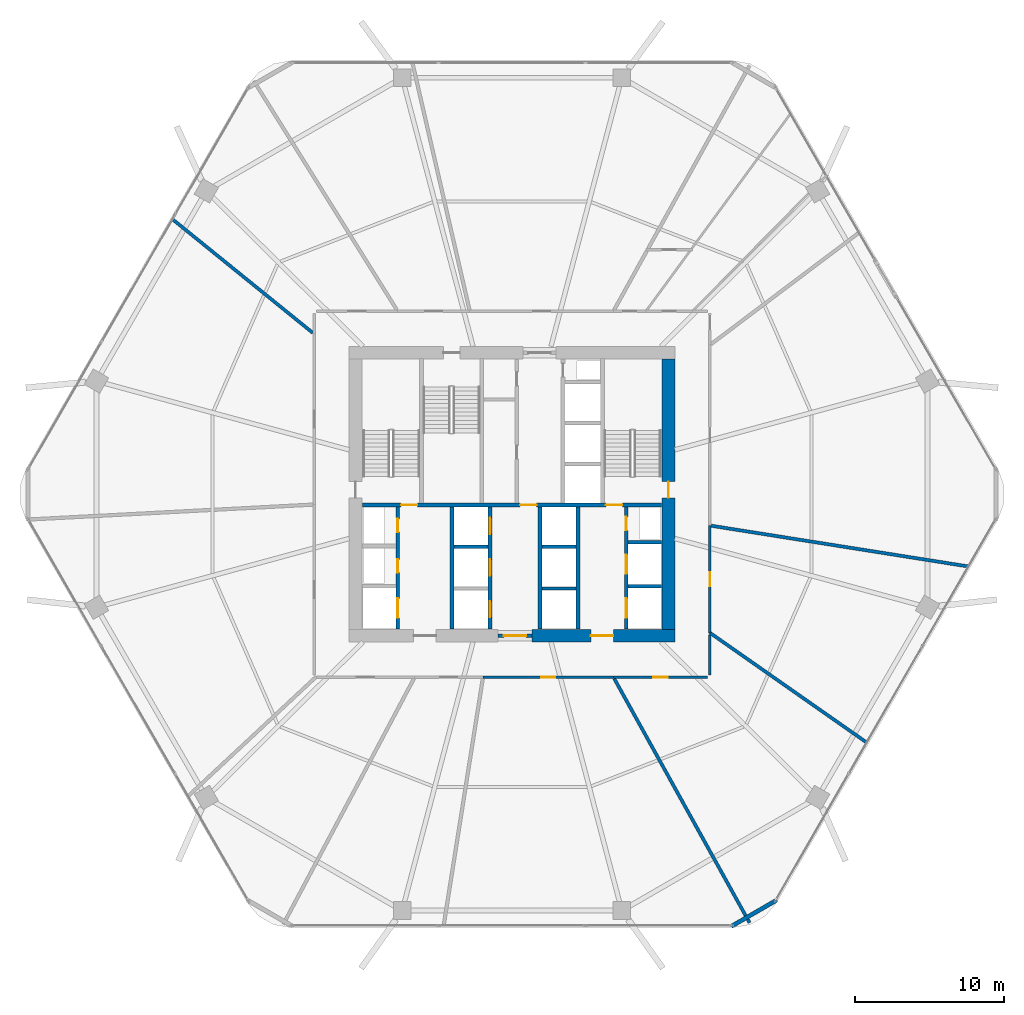
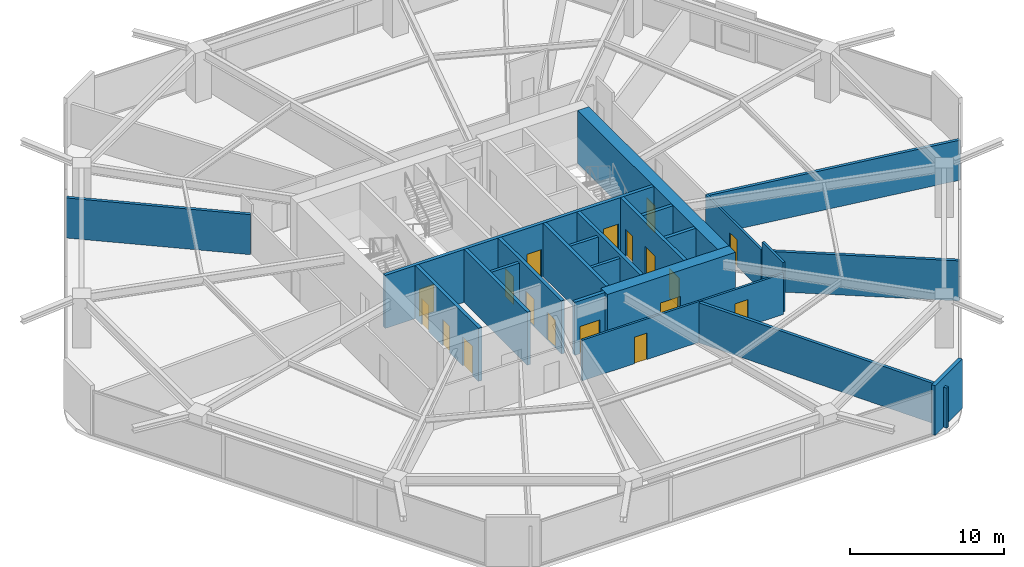
# One storey, part 22 of 25: 24 walls, 18 doors, 18 openings.
"""IFC4 building model written with IfcOpenShell, lengths in metres."""

from ifc_helpers import new_model, si_unit, direction, frame, frame_2d, origin, place, context, subcontext, project, spatial, rectangle, extrude, material, layer, layer_set, type_object, element, fill, save


model = new_model("IFC4")

# Units and contexts
model_context = context("Model", 3, precision=1e-05, world=origin(), true_north=direction((0.0, 1.0)))
body_context = subcontext(model_context, "Body", "Model", "MODEL_VIEW")
ifc_project = project(units=[si_unit("LENGTHUNIT", "METRE"), si_unit("AREAUNIT", "SQUARE_METRE"), si_unit("VOLUMEUNIT", "CUBIC_METRE"), si_unit("PLANEANGLEUNIT", "RADIAN"), si_unit("MASSUNIT", "GRAM", prefix="KILO")], contexts=[model_context])

# Site, building, storey
site_placement = place(None, origin())
site = spatial("IfcSite", under=ifc_project, at=site_placement, CompositionType="ELEMENT")
building_placement = place(site_placement, origin())
building = spatial("IfcBuilding", under=site, at=building_placement, Name="Zuhravey Tower", CompositionType="ELEMENT")
storey_placement = place(building_placement, frame((0.0, 0.0, 37.199951171875)))
storey = spatial("IfcBuildingStorey", under=building, at=storey_placement, Name="L09", CompositionType="ELEMENT", Elevation=37.199951171875)

# Wall, opening, door
ifc_material_1 = material(Name="Concrete C60/75", Category="concrete")
ifc_layer_1 = layer(ifc_material_1, 0.85009765625)
ifc_layer_set_1 = layer_set([ifc_layer_1], Name="Concrete C60/75")
wall_type_1 = type_object("IfcWallType", Name="Core Shear Wall 850", PredefinedType="SHEAR", material=ifc_layer_set_1)
wall_1_placement = place(storey_placement, frame((37.35009765625, 22.5, 0.0), z_axis=(0.0, 0.0, 1.0), x_axis=(1.0, 0.0, 0.0)))
wall_1 = element("IfcWall", 1, at=wall_1_placement, inside=storey, type_object=wall_type_1, Name="L09 South-East Core Shear Wall CW85", PredefinedType="SHEAR", context=body_context, shape_type="SweptSolid", body=[
    extrude(rectangle(XDim=9.574951171875, YDim=0.85009765625, at=frame_2d((4.78759765625, 0.0))), origin(), (0.0, 0.0, 1.0), 4.199951171875),
])
opening_1_placement = place(wall_1_placement, frame((3.949951171875, 0.0, 0.0)))
opening_1 = element("IfcOpeningElement", 2, at=opening_1_placement, cuts=wall_1, Name="Opening FFD1", PredefinedType="OPENING", context=body_context, shape_type="SweptSolid", body=[
    extrude(rectangle(XDim=1.5, YDim=2.14990234375, at=frame_2d((0.75, 1.074951171875))), frame((0.0, 0.43701171875, 0.0), z_axis=(0.0, -1.0, 0.0), x_axis=(1.0, 0.0, 0.0)), (0.0, 0.0, 1.0), 0.8740234375),
])
ifc_material_2 = material(Name="Galvanised fire-rated steel leaf", Category="steel")
door_type_1 = type_object("IfcDoorType", Name="Firefighting Lobby Double Door 1500x2150", OperationType="DOUBLE_DOOR_SINGLE_SWING", PredefinedType="DOOR", material=ifc_material_2)
door_1_placement = place(opening_1_placement, origin())
door_1 = element("IfcDoor", 3, at=door_1_placement, inside=storey, type_object=door_type_1, Name="L09 Firefighting Lobby East Door", OperationType="DOUBLE_DOOR_SINGLE_SWING", OverallHeight=2.14990234375, OverallWidth=1.5, PredefinedType="DOOR", context=body_context, shape_type="SweptSolid", body=[
    extrude(rectangle(XDim=1.5, YDim=2.14990234375, at=frame_2d((0.75, 1.074951171875))), frame((0.0, 0.02490234375, 0.0), z_axis=(0.0, -1.0, 0.0), x_axis=(1.0, 0.0, 0.0)), (0.0, 0.0, 1.0), 0.050048828125),
])
fill(opening_1, door_1)

wall_2_placement = place(storey_placement, frame((46.5, 22.925048828125, 0.0), z_axis=(0.0, 0.0, 1.0), x_axis=(0.0, 1.0, 0.0)))
wall_2 = element("IfcWall", 4, at=wall_2_placement, inside=storey, type_object=wall_type_1, Name="L09 East Core Shear Wall CW85", PredefinedType="SHEAR", context=body_context, shape_type="SweptSolid", body=[
    extrude(rectangle(XDim=18.14990234375, YDim=0.85009765625, at=frame_2d((9.074951171875, 0.0))), origin(), (0.0, 0.0, 1.0), 4.199951171875),
])
opening_2_placement = place(wall_2_placement, frame((8.824951171875, 0.0, 0.0)))
opening_2 = element("IfcOpeningElement", 5, at=opening_2_placement, cuts=wall_2, Name="Opening STD1", PredefinedType="OPENING", context=body_context, shape_type="SweptSolid", body=[
    extrude(rectangle(XDim=1.10009765625, YDim=2.14990234375, at=frame_2d((0.550048828125, 1.074951171875))), frame((0.0, 0.43701171875, 0.0), z_axis=(0.0, -1.0, 0.0), x_axis=(1.0, 0.0, 0.0)), (0.0, 0.0, 1.0), 0.8740234375),
])
door_type_2 = type_object("IfcDoorType", Name="Protected Stair Fire Door 1100x2150", OperationType="NOTDEFINED", PredefinedType="USERDEFINED", material=ifc_material_2)
door_2_placement = place(opening_2_placement, origin())
door_2 = element("IfcDoor", 6, at=door_2_placement, inside=storey, type_object=door_type_2, Name="L09 Stair ST2 Door", ObjectType="EXITDOOR", OperationType="SINGLE_SWING_LEFT", OverallHeight=2.14990234375, OverallWidth=1.10009765625, PredefinedType="USERDEFINED", context=body_context, shape_type="SweptSolid", body=[
    extrude(rectangle(XDim=1.10009765625, YDim=2.14990234375, at=frame_2d((0.550048828125, 1.074951171875))), frame((0.0, 0.02490234375, 0.0), z_axis=(0.0, -1.0, 0.0), x_axis=(1.0, 0.0, 0.0)), (0.0, 0.0, 1.0), 0.050048828125),
])
fill(opening_2, door_2)

ifc_material_3 = material(Name="Gypsum fire-rated stud partition")
ifc_layer_2 = layer(ifc_material_3, 0.159912109375)
ifc_layer_set_2 = layer_set([ifc_layer_2], Name="Gypsum fire-rated stud partition")
wall_type_2 = type_object("IfcWallType", Name="Corridor Fire Partition 160", PredefinedType="PARTITIONING", material=ifc_layer_set_2)
wall_3_placement = place(storey_placement, frame((34.05419921875, 19.715087890625, 0.0), z_axis=(0.0, 0.0, 1.0), x_axis=(1.0, 0.0, 0.0)))
wall_3 = element("IfcWall", 7, at=wall_3_placement, inside=storey, type_object=wall_type_2, Name="L09 IW16 Partition 030", PredefinedType="PARTITIONING", context=body_context, shape_type="SweptSolid", body=[
    extrude(rectangle(XDim=8.755615234375, YDim=0.159912109375, at=frame_2d((4.3779296875, 0.0))), origin(), (0.0, 0.0, 1.0), 3.219970703125),
])
opening_3_placement = place(wall_3_placement, frame((3.902587890625, 0.0, 0.0)))
opening_3 = element("IfcOpeningElement", 8, at=opening_3_placement, cuts=wall_3, Name="Opening IND1", PredefinedType="OPENING", context=body_context, shape_type="SweptSolid", body=[
    extrude(rectangle(XDim=0.949951171875, YDim=2.10009765625, at=frame_2d((0.47509765625, 1.050048828125))), frame((0.0, 0.092041015625, 0.0), z_axis=(0.0, -1.0, 0.0), x_axis=(1.0, 0.0, 0.0)), (0.0, 0.0, 1.0), 0.183837890625),
])
ifc_material_4 = material(Name="Painted engineered timber leaf", Category="wood")
door_type_3 = type_object("IfcDoorType", Name="Internal Room & Bedroom Door 950x2100", OperationType="NOTDEFINED", PredefinedType="DOOR", material=ifc_material_4)
door_3_placement = place(opening_3_placement, frame((0.949951171875, 0.0, 0.0), z_axis=(0.0, 0.0, 1.0), x_axis=(-1.0, 0.0, 0.0)))
door_3 = element("IfcDoor", 9, at=door_3_placement, inside=storey, type_object=door_type_3, Name="L09 Door 030.1", OperationType="SINGLE_SWING_LEFT", OverallHeight=2.10009765625, OverallWidth=0.949951171875, PredefinedType="DOOR", context=body_context, shape_type="SweptSolid", body=[
    extrude(rectangle(XDim=0.949951171875, YDim=2.10009765625, at=frame_2d((0.47509765625, 1.050048828125))), frame((0.0, 0.02490234375, 0.0), z_axis=(0.0, -1.0, 0.0), x_axis=(1.0, 0.0, 0.0)), (0.0, 0.0, 1.0), 0.050048828125),
])
fill(opening_3, door_3)

wall_4_placement = place(storey_placement, frame((42.809814453125, 19.715087890625, 0.0), z_axis=(0.0, 0.0, 1.0), x_axis=(1.0, 0.0, 0.0)))
wall_4 = element("IfcWall", 10, at=wall_4_placement, inside=storey, type_object=wall_type_2, Name="L09 IW16 Partition 031", PredefinedType="PARTITIONING", context=body_context, shape_type="SweptSolid", body=[
    extrude(rectangle(XDim=6.315185546875, YDim=0.159912109375, at=frame_2d((3.15771484375, 0.0))), origin(), (0.0, 0.0, 1.0), 3.219970703125),
])
opening_4_placement = place(wall_4_placement, frame((2.6826171875, 0.0, 0.0)))
opening_4 = element("IfcOpeningElement", 11, at=opening_4_placement, cuts=wall_4, Name="Opening IND1", PredefinedType="OPENING", context=body_context, shape_type="SweptSolid", body=[
    extrude(rectangle(XDim=0.949951171875, YDim=2.10009765625, at=frame_2d((0.47509765625, 1.050048828125))), frame((0.0, 0.092041015625, 0.0), z_axis=(0.0, -1.0, 0.0), x_axis=(1.0, 0.0, 0.0)), (0.0, 0.0, 1.0), 0.183837890625),
])
door_4_placement = place(opening_4_placement, frame((0.949951171875, 0.0, 0.0), z_axis=(0.0, 0.0, 1.0), x_axis=(-1.0, 0.0, 0.0)))
door_4 = element("IfcDoor", 12, at=door_4_placement, inside=storey, type_object=door_type_3, Name="L09 Door 031.1", OperationType="SINGLE_SWING_RIGHT", OverallHeight=2.10009765625, OverallWidth=0.949951171875, PredefinedType="DOOR", context=body_context, shape_type="SweptSolid", body=[
    extrude(rectangle(XDim=0.949951171875, YDim=2.10009765625, at=frame_2d((0.47509765625, 1.050048828125))), frame((0.0, 0.02490234375, 0.0), z_axis=(0.0, -1.0, 0.0), x_axis=(1.0, 0.0, 0.0)), (0.0, 0.0, 1.0), 0.050048828125),
])
fill(opening_4, door_4)

wall_5_placement = place(storey_placement, frame((49.284912109375, 22.69775390625, 0.0), z_axis=(0.0, 0.0, 1.0), x_axis=(0.0, 1.0, 0.0)))
wall_5 = element("IfcWall", 13, at=wall_5_placement, inside=storey, type_object=wall_type_2, Name="L09 IW16 Partition 032", PredefinedType="PARTITIONING", context=body_context, shape_type="SweptSolid", body=[
    extrude(rectangle(XDim=7.1982421875, YDim=0.159912109375, at=frame_2d((3.59912109375, 0.0))), origin(), (0.0, 0.0, 1.0), 3.219970703125),
])
opening_5_placement = place(wall_5_placement, frame((3.1240234375, 0.0, 0.0)))
opening_5 = element("IfcOpeningElement", 14, at=opening_5_placement, cuts=wall_5, Name="Opening IND1", PredefinedType="OPENING", context=body_context, shape_type="SweptSolid", body=[
    extrude(rectangle(XDim=0.949951171875, YDim=2.10009765625, at=frame_2d((0.47509765625, 1.050048828125))), frame((0.0, 0.092041015625, 0.0), z_axis=(0.0, -1.0, 0.0), x_axis=(1.0, 0.0, 0.0)), (0.0, 0.0, 1.0), 0.183837890625),
])
door_5_placement = place(opening_5_placement, frame((0.949951171875, 0.0, 0.0), z_axis=(0.0, 0.0, 1.0), x_axis=(-1.0, 0.0, 0.0)))
door_5 = element("IfcDoor", 15, at=door_5_placement, inside=storey, type_object=door_type_3, Name="L09 Door 032.1", OperationType="SINGLE_SWING_LEFT", OverallHeight=2.10009765625, OverallWidth=0.949951171875, PredefinedType="DOOR", context=body_context, shape_type="SweptSolid", body=[
    extrude(rectangle(XDim=0.949951171875, YDim=2.10009765625, at=frame_2d((0.47509765625, 1.050048828125))), frame((0.0, 0.02490234375, 0.0), z_axis=(0.0, -1.0, 0.0), x_axis=(1.0, 0.0, 0.0)), (0.0, 0.0, 1.0), 0.050048828125),
])
fill(opening_5, door_5)

# Walls
wall_6_placement = place(storey_placement, frame((49.284912109375, 19.875, 0.0), z_axis=(0.0, 0.0, 1.0), x_axis=(0.0, 1.0, 0.0)))
element("IfcWall", 16, at=wall_6_placement, inside=storey, type_object=wall_type_2, Name="L09 IW16 Partition 060", PredefinedType="PARTITIONING", context=body_context, shape_type="SweptSolid", body=[
    extrude(rectangle(XDim=2.6787109375, YDim=0.159912109375, at=frame_2d((1.33935546875, 0.0))), origin(), (0.0, 0.0, 1.0), 3.920166015625),
])
ifc_material_5 = material(Name="Precast concrete C40/50", Category="concrete")
ifc_layer_3 = layer(ifc_material_5, 0.280029296875)
ifc_layer_set_3 = layer_set([ifc_layer_3], Name="Precast concrete C40/50")
wall_type_3 = type_object("IfcWallType", Name="Crown Architectural Wall 280", PredefinedType="SOLIDWALL", material=ifc_layer_set_3)
wall_7_placement = place(storey_placement, frame((53.76123046875, 4.75146484375, 0.0), z_axis=(0.0, 0.0, 1.0), x_axis=(-0.866007452331, -0.500031091541, 0.0)))
element("IfcWall", 17, at=wall_7_placement, inside=storey, type_object=wall_type_3, Name="L09 Rounded Corner Closure Wall EW28-02", PredefinedType="SOLIDWALL", context=body_context, shape_type="SweptSolid", body=[
    extrude(rectangle(XDim=3.514892578125, YDim=0.280029296875, at=frame_2d((1.75732421875, 0.0))), origin(), (0.0, 0.0, 1.0), 3.920166015625),
])

# Wall, opening, door
ifc_material_6 = material(Name="Concrete C50/60", Category="concrete")
ifc_layer_4 = layer(ifc_material_6, 0.25)
ifc_layer_set_4 = layer_set([ifc_layer_4], Name="Concrete C50/60")
wall_type_4 = type_object("IfcWallType", Name="Firefighting Shaft & Stair Wall 250", PredefinedType="SOLIDWALL", material=ifc_layer_set_4)
wall_8_placement = place(storey_placement, frame((35.06005859375, 22.5, 0.0), z_axis=(0.0, 0.0, 1.0), x_axis=(1.0, 0.0, 0.0)))
wall_8 = element("IfcWall", 18, at=wall_8_placement, inside=storey, type_object=wall_type_4, Name="L09 FW25 Shaft Wall 001", PredefinedType="SOLIDWALL", context=body_context, shape_type="SweptSolid", body=[
    extrude(rectangle(XDim=2.280029296875, YDim=0.25, at=frame_2d((1.14013671875, 0.0))), origin(), (0.0, 0.0, 1.0), 4.199951171875),
])
opening_6_placement = place(wall_8_placement, frame((0.389892578125, 0.0, 0.0)))
opening_6 = element("IfcOpeningElement", 19, at=opening_6_placement, cuts=wall_8, Name="Opening FFD1", PredefinedType="OPENING", context=body_context, shape_type="SweptSolid", body=[
    extrude(rectangle(XDim=1.5, YDim=2.14990234375, at=frame_2d((0.75, 1.074951171875))), frame((0.0, 0.136962890625, 0.0), z_axis=(0.0, -1.0, 0.0), x_axis=(1.0, 0.0, 0.0)), (0.0, 0.0, 1.0), 0.27392578125),
])
door_6_placement = place(opening_6_placement, frame((1.5, 0.0, 0.0), z_axis=(0.0, 0.0, 1.0), x_axis=(-1.0, 0.0, 0.0)))
door_6 = element("IfcDoor", 20, at=door_6_placement, inside=storey, type_object=door_type_1, Name="L09 South Lift Lobby Exit Door", OperationType="DOUBLE_DOOR_SINGLE_SWING", OverallHeight=2.14990234375, OverallWidth=1.5, PredefinedType="DOOR", context=body_context, shape_type="SweptSolid", body=[
    extrude(rectangle(XDim=1.5, YDim=2.14990234375, at=frame_2d((0.75, 1.074951171875))), frame((0.0, 0.02490234375, 0.0), z_axis=(0.0, -1.0, 0.0), x_axis=(1.0, 0.0, 0.0)), (0.0, 0.0, 1.0), 0.050048828125),
])
fill(opening_6, door_6)

# Wall, openings, doors
wall_9_placement = place(storey_placement, frame((25.949951171875, 31.27490234375, 0.0), z_axis=(0.0, 0.0, 1.0), x_axis=(1.0, 0.0, 0.0)))
wall_9 = element("IfcWall", 21, at=wall_9_placement, inside=storey, type_object=wall_type_4, Name="L09 FW25 Shaft Wall 003", PredefinedType="SOLIDWALL", context=body_context, shape_type="SweptSolid", body=[
    extrude(rectangle(XDim=20.10009765625, YDim=0.25, at=frame_2d((10.050048828125, 0.0))), origin(), (0.0, 0.0, 1.0), 4.199951171875),
])
opening_7_placement = place(wall_9_placement, frame((2.60009765625, 0.0, 0.0)))
opening_7 = element("IfcOpeningElement", 22, at=opening_7_placement, cuts=wall_9, Name="Opening STD1", PredefinedType="OPENING", context=body_context, shape_type="SweptSolid", body=[
    extrude(rectangle(XDim=1.10009765625, YDim=2.14990234375, at=frame_2d((0.550048828125, 1.074951171875))), frame((0.0, 0.136962890625, 0.0), z_axis=(0.0, -1.0, 0.0), x_axis=(1.0, 0.0, 0.0)), (0.0, 0.0, 1.0), 0.27392578125),
])
opening_8_placement = place(wall_9_placement, frame((10.60009765625, 0.0, 0.0)))
opening_8 = element("IfcOpeningElement", 23, at=opening_8_placement, cuts=wall_9, Name="Opening STD1", PredefinedType="OPENING", context=body_context, shape_type="SweptSolid", body=[
    extrude(rectangle(XDim=1.10009765625, YDim=2.14990234375, at=frame_2d((0.550048828125, 1.074951171875))), frame((0.0, 0.136962890625, 0.0), z_axis=(0.0, -1.0, 0.0), x_axis=(1.0, 0.0, 0.0)), (0.0, 0.0, 1.0), 0.27392578125),
])
opening_9_placement = place(wall_9_placement, frame((16.35009765625, 0.0, 0.0)))
opening_9 = element("IfcOpeningElement", 24, at=opening_9_placement, cuts=wall_9, Name="Opening STD1", PredefinedType="OPENING", context=body_context, shape_type="SweptSolid", body=[
    extrude(rectangle(XDim=1.10009765625, YDim=2.14990234375, at=frame_2d((0.550048828125, 1.074951171875))), frame((0.0, 0.136962890625, 0.0), z_axis=(0.0, -1.0, 0.0), x_axis=(1.0, 0.0, 0.0)), (0.0, 0.0, 1.0), 0.27392578125),
])
door_7_placement = place(opening_7_placement, origin())
door_7 = element("IfcDoor", 25, at=door_7_placement, inside=storey, type_object=door_type_2, Name="L09 FFL-W to ST1 Door", ObjectType="EXITDOOR", OperationType="SINGLE_SWING_LEFT", OverallHeight=2.14990234375, OverallWidth=1.10009765625, PredefinedType="USERDEFINED", context=body_context, shape_type="SweptSolid", body=[
    extrude(rectangle(XDim=1.10009765625, YDim=2.14990234375, at=frame_2d((0.550048828125, 1.074951171875))), frame((0.0, 0.02490234375, 0.0), z_axis=(0.0, -1.0, 0.0), x_axis=(1.0, 0.0, 0.0)), (0.0, 0.0, 1.0), 0.050048828125),
])
fill(opening_7, door_7)
door_8_placement = place(opening_8_placement, origin())
door_8 = element("IfcDoor", 26, at=door_8_placement, inside=storey, type_object=door_type_2, Name="L09 Core Lobby Link Door", ObjectType="EXITDOOR", OperationType="SINGLE_SWING_RIGHT", OverallHeight=2.14990234375, OverallWidth=1.10009765625, PredefinedType="USERDEFINED", context=body_context, shape_type="SweptSolid", body=[
    extrude(rectangle(XDim=1.10009765625, YDim=2.14990234375, at=frame_2d((0.550048828125, 1.074951171875))), frame((0.0, 0.02490234375, 0.0), z_axis=(0.0, -1.0, 0.0), x_axis=(1.0, 0.0, 0.0)), (0.0, 0.0, 1.0), 0.050048828125),
])
fill(opening_8, door_8)
door_9_placement = place(opening_9_placement, origin())
door_9 = element("IfcDoor", 27, at=door_9_placement, inside=storey, type_object=door_type_2, Name="L09 FFL-E to ST2 Door", ObjectType="EXITDOOR", OperationType="SINGLE_SWING_LEFT", OverallHeight=2.14990234375, OverallWidth=1.10009765625, PredefinedType="USERDEFINED", context=body_context, shape_type="SweptSolid", body=[
    extrude(rectangle(XDim=1.10009765625, YDim=2.14990234375, at=frame_2d((0.550048828125, 1.074951171875))), frame((0.0, 0.02490234375, 0.0), z_axis=(0.0, -1.0, 0.0), x_axis=(1.0, 0.0, 0.0)), (0.0, 0.0, 1.0), 0.050048828125),
])
fill(opening_9, door_9)

wall_10_placement = place(storey_placement, frame((28.324951171875, 22.949951171875, 0.0), z_axis=(0.0, 0.0, 1.0), x_axis=(0.0, 1.0, 0.0)))
wall_10 = element("IfcWall", 28, at=wall_10_placement, inside=storey, type_object=wall_type_4, Name="L09 FW25 Shaft Wall 011", PredefinedType="SOLIDWALL", context=body_context, shape_type="SweptSolid", body=[
    extrude(rectangle(XDim=8.199951171875, YDim=0.25, at=frame_2d((4.10009765625, 0.0))), origin(), (0.0, 0.0, 1.0), 4.199951171875),
])
opening_10_placement = place(wall_10_placement, frame((0.75, 0.0, 0.0)))
opening_10 = element("IfcOpeningElement", 29, at=opening_10_placement, cuts=wall_10, Name="Opening LD2", PredefinedType="OPENING", context=body_context, shape_type="SweptSolid", body=[
    extrude(rectangle(XDim=1.300048828125, YDim=2.300048828125, at=frame_2d((0.64990234375, 1.14990234375))), frame((0.0, 0.136962890625, 0.0), z_axis=(0.0, -1.0, 0.0), x_axis=(1.0, 0.0, 0.0)), (0.0, 0.0, 1.0), 0.27392578125),
])
opening_11_placement = place(wall_10_placement, frame((3.780029296875, 0.0, 0.0)))
opening_11 = element("IfcOpeningElement", 30, at=opening_11_placement, cuts=wall_10, Name="Opening RSD1", PredefinedType="OPENING", context=body_context, shape_type="SweptSolid", body=[
    extrude(rectangle(XDim=0.89990234375, YDim=2.10009765625, at=frame_2d((0.449951171875, 1.050048828125))), frame((0.0, 0.136962890625, 0.0), z_axis=(0.0, -1.0, 0.0), x_axis=(1.0, 0.0, 0.0)), (0.0, 0.0, 1.0), 0.27392578125),
])
opening_12_placement = place(wall_10_placement, frame((6.5, 0.0, 0.0)))
opening_12 = element("IfcOpeningElement", 31, at=opening_12_placement, cuts=wall_10, Name="Opening RSD1", PredefinedType="OPENING", context=body_context, shape_type="SweptSolid", body=[
    extrude(rectangle(XDim=0.89990234375, YDim=2.10009765625, at=frame_2d((0.449951171875, 1.050048828125))), frame((0.0, 0.136962890625, 0.0), z_axis=(0.0, -1.0, 0.0), x_axis=(1.0, 0.0, 0.0)), (0.0, 0.0, 1.0), 0.27392578125),
])
ifc_material_7 = material(Name="Brushed stainless steel", Category="steel")
door_type_4 = type_object("IfcDoorType", Name="Freight & Stretcher Lift Sliding Door 1300x2300", OperationType="DOUBLE_DOOR_SLIDING", PredefinedType="DOOR", material=ifc_material_7)
door_10_placement = place(opening_10_placement, frame((1.300048828125, 0.0, 0.0), z_axis=(0.0, 0.0, 1.0), x_axis=(-1.0, 0.0, 0.0)))
door_10 = element("IfcDoor", 32, at=door_10_placement, inside=storey, type_object=door_type_4, Name="L09 Lift FF1 Landing Door", OperationType="DOUBLE_DOOR_SLIDING", OverallHeight=2.300048828125, OverallWidth=1.300048828125, PredefinedType="DOOR", context=body_context, shape_type="SweptSolid", body=[
    extrude(rectangle(XDim=1.300048828125, YDim=2.300048828125, at=frame_2d((0.64990234375, 1.14990234375))), frame((0.0, 0.02490234375, 0.0), z_axis=(0.0, -1.0, 0.0), x_axis=(1.0, 0.0, 0.0)), (0.0, 0.0, 1.0), 0.050048828125),
])
fill(opening_10, door_10)
ifc_material_8 = material(Name="Galvanised fire-rated steel access leaf", Category="steel")
door_type_5 = type_object("IfcDoorType", Name="Riser & Shaft Access Fire Door 900x2100", OperationType="NOTDEFINED", PredefinedType="DOOR", material=ifc_material_8)
door_11_placement = place(opening_11_placement, frame((0.89990234375, 0.0, 0.0), z_axis=(0.0, 0.0, 1.0), x_axis=(-1.0, 0.0, 0.0)))
door_11 = element("IfcDoor", 33, at=door_11_placement, inside=storey, type_object=door_type_5, Name="L09 Electrical Riser Door", OperationType="SINGLE_SWING_LEFT", OverallHeight=2.10009765625, OverallWidth=0.89990234375, PredefinedType="DOOR", context=body_context, shape_type="SweptSolid", body=[
    extrude(rectangle(XDim=0.89990234375, YDim=2.10009765625, at=frame_2d((0.449951171875, 1.050048828125))), frame((0.0, 0.02490234375, 0.0), z_axis=(0.0, -1.0, 0.0), x_axis=(1.0, 0.0, 0.0)), (0.0, 0.0, 1.0), 0.050048828125),
])
fill(opening_11, door_11)
door_12_placement = place(opening_12_placement, frame((0.89990234375, 0.0, 0.0), z_axis=(0.0, 0.0, 1.0), x_axis=(-1.0, 0.0, 0.0)))
door_12 = element("IfcDoor", 34, at=door_12_placement, inside=storey, type_object=door_type_5, Name="L09 Smoke Shaft Access Door", OperationType="SINGLE_SWING_RIGHT", OverallHeight=2.10009765625, OverallWidth=0.89990234375, PredefinedType="DOOR", context=body_context, shape_type="SweptSolid", body=[
    extrude(rectangle(XDim=0.89990234375, YDim=2.10009765625, at=frame_2d((0.449951171875, 1.050048828125))), frame((0.0, 0.02490234375, 0.0), z_axis=(0.0, -1.0, 0.0), x_axis=(1.0, 0.0, 0.0)), (0.0, 0.0, 1.0), 0.050048828125),
])
fill(opening_12, door_12)

# Wall
wall_11_placement = place(storey_placement, frame((31.97509765625, 22.949951171875, 0.0), z_axis=(0.0, 0.0, 1.0), x_axis=(0.0, 1.0, 0.0)))
element("IfcWall", 35, at=wall_11_placement, inside=storey, type_object=wall_type_4, Name="L09 FW25 Shaft Wall 012", PredefinedType="SOLIDWALL", context=body_context, shape_type="SweptSolid", body=[
    extrude(rectangle(XDim=8.199951171875, YDim=0.25, at=frame_2d((4.10009765625, 0.0))), origin(), (0.0, 0.0, 1.0), 4.199951171875),
])

# Wall, openings, doors
wall_12_placement = place(storey_placement, frame((34.52490234375, 22.949951171875, 0.0), z_axis=(0.0, 0.0, 1.0), x_axis=(0.0, 1.0, 0.0)))
wall_12 = element("IfcWall", 36, at=wall_12_placement, inside=storey, type_object=wall_type_4, Name="L09 FW25 Shaft Wall 013", PredefinedType="SOLIDWALL", context=body_context, shape_type="SweptSolid", body=[
    extrude(rectangle(XDim=8.199951171875, YDim=0.25, at=frame_2d((4.10009765625, 0.0))), origin(), (0.0, 0.0, 1.0), 4.199951171875),
])
opening_13_placement = place(wall_12_placement, frame((0.77490234375, 0.0, 0.0)))
opening_13 = element("IfcOpeningElement", 37, at=opening_13_placement, cuts=wall_12, Name="Opening LD1", PredefinedType="OPENING", context=body_context, shape_type="SweptSolid", body=[
    extrude(rectangle(XDim=1.10009765625, YDim=2.199951171875, at=frame_2d((0.550048828125, 1.10009765625))), frame((0.0, 0.136962890625, 0.0), z_axis=(0.0, -1.0, 0.0), x_axis=(1.0, 0.0, 0.0)), (0.0, 0.0, 1.0), 0.27392578125),
])
opening_14_placement = place(wall_12_placement, frame((3.574951171875, 0.0, 0.0)))
opening_14 = element("IfcOpeningElement", 38, at=opening_14_placement, cuts=wall_12, Name="Opening LD1", PredefinedType="OPENING", context=body_context, shape_type="SweptSolid", body=[
    extrude(rectangle(XDim=1.10009765625, YDim=2.199951171875, at=frame_2d((0.550048828125, 1.10009765625))), frame((0.0, 0.136962890625, 0.0), z_axis=(0.0, -1.0, 0.0), x_axis=(1.0, 0.0, 0.0)), (0.0, 0.0, 1.0), 0.27392578125),
])
opening_15_placement = place(wall_12_placement, frame((6.375, 0.0, 0.0)))
opening_15 = element("IfcOpeningElement", 39, at=opening_15_placement, cuts=wall_12, Name="Opening LD1", PredefinedType="OPENING", context=body_context, shape_type="SweptSolid", body=[
    extrude(rectangle(XDim=1.10009765625, YDim=2.199951171875, at=frame_2d((0.550048828125, 1.10009765625))), frame((0.0, 0.136962890625, 0.0), z_axis=(0.0, -1.0, 0.0), x_axis=(1.0, 0.0, 0.0)), (0.0, 0.0, 1.0), 0.27392578125),
])
door_type_6 = type_object("IfcDoorType", Name="Lift Landing Sliding Door 1100x2200", OperationType="DOUBLE_DOOR_SLIDING", PredefinedType="DOOR", material=ifc_material_7)
door_13_placement = place(opening_13_placement, frame((1.10009765625, 0.0, 0.0), z_axis=(0.0, 0.0, 1.0), x_axis=(-1.0, 0.0, 0.0)))
door_13 = element("IfcDoor", 40, at=door_13_placement, inside=storey, type_object=door_type_6, Name="L09 Lift PL1 Landing Door", OperationType="DOUBLE_DOOR_SLIDING", OverallHeight=2.199951171875, OverallWidth=1.10009765625, PredefinedType="DOOR", context=body_context, shape_type="SweptSolid", body=[
    extrude(rectangle(XDim=1.10009765625, YDim=2.199951171875, at=frame_2d((0.550048828125, 1.10009765625))), frame((0.0, 0.02490234375, 0.0), z_axis=(0.0, -1.0, 0.0), x_axis=(1.0, 0.0, 0.0)), (0.0, 0.0, 1.0), 0.050048828125),
])
fill(opening_13, door_13)
door_14_placement = place(opening_14_placement, frame((1.10009765625, 0.0, 0.0), z_axis=(0.0, 0.0, 1.0), x_axis=(-1.0, 0.0, 0.0)))
door_14 = element("IfcDoor", 41, at=door_14_placement, inside=storey, type_object=door_type_6, Name="L09 Lift PL2 Landing Door", OperationType="DOUBLE_DOOR_SLIDING", OverallHeight=2.199951171875, OverallWidth=1.10009765625, PredefinedType="DOOR", context=body_context, shape_type="SweptSolid", body=[
    extrude(rectangle(XDim=1.10009765625, YDim=2.199951171875, at=frame_2d((0.550048828125, 1.10009765625))), frame((0.0, 0.02490234375, 0.0), z_axis=(0.0, -1.0, 0.0), x_axis=(1.0, 0.0, 0.0)), (0.0, 0.0, 1.0), 0.050048828125),
])
fill(opening_14, door_14)
door_15_placement = place(opening_15_placement, frame((1.10009765625, 0.0, 0.0), z_axis=(0.0, 0.0, 1.0), x_axis=(-1.0, 0.0, 0.0)))
door_15 = element("IfcDoor", 42, at=door_15_placement, inside=storey, type_object=door_type_6, Name="L09 Lift PL3 Landing Door", OperationType="DOUBLE_DOOR_SLIDING", OverallHeight=2.199951171875, OverallWidth=1.10009765625, PredefinedType="DOOR", context=body_context, shape_type="SweptSolid", body=[
    extrude(rectangle(XDim=1.10009765625, YDim=2.199951171875, at=frame_2d((0.550048828125, 1.10009765625))), frame((0.0, 0.02490234375, 0.0), z_axis=(0.0, -1.0, 0.0), x_axis=(1.0, 0.0, 0.0)), (0.0, 0.0, 1.0), 0.050048828125),
])
fill(opening_15, door_15)

# Walls
for number, where, z_axis, x_axis, name in (
    (43, (37.875, 22.949951171875, 0.0), (0.0, 0.0, 1.0), (0.0, 1.0, 0.0), "L09 FW25 Shaft Wall 014"),
    (44, (40.425048828125, 22.949951171875, 0.0), (0.0, 0.0, 1.0), (0.0, 1.0, 0.0), "L09 FW25 Shaft Wall 015"),
):
    element("IfcWall", number, at=place(storey_placement, frame(where, z_axis=z_axis, x_axis=x_axis)), inside=storey, type_object=wall_type_4, Name=name, PredefinedType="SOLIDWALL", context=body_context, shape_type="SweptSolid", body=[
        extrude(rectangle(XDim=8.199951171875, YDim=0.25, at=frame_2d((4.10009765625, 0.0))), origin(), (0.0, 0.0, 1.0), 4.199951171875),
    ])
for number, where, z_axis, x_axis, name in (
    (45, (43.800048828125, 25.824951171875, 0.0), (0.0, 0.0, 1.0), (1.0, 0.0, 0.0), "L09 FW25 Shaft Wall 016"),
    (46, (43.800048828125, 28.77490234375, 0.0), (0.0, 0.0, 1.0), (1.0, 0.0, 0.0), "L09 FW25 Shaft Wall 017"),
):
    element("IfcWall", number, at=place(storey_placement, frame(where, z_axis=z_axis, x_axis=x_axis)), inside=storey, type_object=wall_type_4, Name=name, PredefinedType="SOLIDWALL", context=body_context, shape_type="SweptSolid", body=[
        extrude(rectangle(XDim=2.25, YDim=0.25, at=frame_2d((1.125, 0.0))), origin(), (0.0, 0.0, 1.0), 4.199951171875),
    ])

# Wall, openings, doors
wall_13_placement = place(storey_placement, frame((43.675048828125, 22.949951171875, 0.0), z_axis=(0.0, 0.0, 1.0), x_axis=(0.0, 1.0, 0.0)))
wall_13 = element("IfcWall", 47, at=wall_13_placement, inside=storey, type_object=wall_type_4, Name="L09 FW25 Shaft Wall 018", PredefinedType="SOLIDWALL", context=body_context, shape_type="SweptSolid", body=[
    extrude(rectangle(XDim=8.199951171875, YDim=0.25, at=frame_2d((4.10009765625, 0.0))), origin(), (0.0, 0.0, 1.0), 4.199951171875),
])
opening_16_placement = place(wall_13_placement, frame((0.75, 0.0, 0.0)))
opening_16 = element("IfcOpeningElement", 48, at=opening_16_placement, cuts=wall_13, Name="Opening LD2", PredefinedType="OPENING", context=body_context, shape_type="SweptSolid", body=[
    extrude(rectangle(XDim=1.300048828125, YDim=2.300048828125, at=frame_2d((0.64990234375, 1.14990234375))), frame((0.0, 0.136962890625, 0.0), z_axis=(0.0, -1.0, 0.0), x_axis=(1.0, 0.0, 0.0)), (0.0, 0.0, 1.0), 0.27392578125),
])
opening_17_placement = place(wall_13_placement, frame((3.699951171875, 0.0, 0.0)))
opening_17 = element("IfcOpeningElement", 49, at=opening_17_placement, cuts=wall_13, Name="Opening LD2", PredefinedType="OPENING", context=body_context, shape_type="SweptSolid", body=[
    extrude(rectangle(XDim=1.300048828125, YDim=2.300048828125, at=frame_2d((0.64990234375, 1.14990234375))), frame((0.0, 0.136962890625, 0.0), z_axis=(0.0, -1.0, 0.0), x_axis=(1.0, 0.0, 0.0)), (0.0, 0.0, 1.0), 0.27392578125),
])
opening_18_placement = place(wall_13_placement, frame((6.6201171875, 0.0, 0.0)))
opening_18 = element("IfcOpeningElement", 50, at=opening_18_placement, cuts=wall_13, Name="Opening RSD1", PredefinedType="OPENING", context=body_context, shape_type="SweptSolid", body=[
    extrude(rectangle(XDim=0.89990234375, YDim=2.10009765625, at=frame_2d((0.449951171875, 1.050048828125))), frame((0.0, 0.136962890625, 0.0), z_axis=(0.0, -1.0, 0.0), x_axis=(1.0, 0.0, 0.0)), (0.0, 0.0, 1.0), 0.27392578125),
])
door_16_placement = place(opening_16_placement, origin())
door_16 = element("IfcDoor", 51, at=door_16_placement, inside=storey, type_object=door_type_4, Name="L09 Lift FF2 Landing Door", OperationType="DOUBLE_DOOR_SLIDING", OverallHeight=2.300048828125, OverallWidth=1.300048828125, PredefinedType="DOOR", context=body_context, shape_type="SweptSolid", body=[
    extrude(rectangle(XDim=1.300048828125, YDim=2.300048828125, at=frame_2d((0.64990234375, 1.14990234375))), frame((0.0, 0.02490234375, 0.0), z_axis=(0.0, -1.0, 0.0), x_axis=(1.0, 0.0, 0.0)), (0.0, 0.0, 1.0), 0.050048828125),
])
fill(opening_16, door_16)
door_17_placement = place(opening_17_placement, origin())
door_17 = element("IfcDoor", 52, at=door_17_placement, inside=storey, type_object=door_type_4, Name="L09 Lift SV1 Landing Door", OperationType="DOUBLE_DOOR_SLIDING", OverallHeight=2.300048828125, OverallWidth=1.300048828125, PredefinedType="DOOR", context=body_context, shape_type="SweptSolid", body=[
    extrude(rectangle(XDim=1.300048828125, YDim=2.300048828125, at=frame_2d((0.64990234375, 1.14990234375))), frame((0.0, 0.02490234375, 0.0), z_axis=(0.0, -1.0, 0.0), x_axis=(1.0, 0.0, 0.0)), (0.0, 0.0, 1.0), 0.050048828125),
])
fill(opening_17, door_17)
door_18_placement = place(opening_18_placement, origin())
door_18 = element("IfcDoor", 53, at=door_18_placement, inside=storey, type_object=door_type_5, Name="L09 Plumbing Riser Door", OperationType="SINGLE_SWING_LEFT", OverallHeight=2.10009765625, OverallWidth=0.89990234375, PredefinedType="DOOR", context=body_context, shape_type="SweptSolid", body=[
    extrude(rectangle(XDim=0.89990234375, YDim=2.10009765625, at=frame_2d((0.449951171875, 1.050048828125))), frame((0.0, 0.02490234375, 0.0), z_axis=(0.0, -1.0, 0.0), x_axis=(1.0, 0.0, 0.0)), (0.0, 0.0, 1.0), 0.050048828125),
])
fill(opening_18, door_18)

# Walls
ifc_material_9 = material(Name="Gypsum acoustic stud assembly")
ifc_layer_5 = layer(ifc_material_9, 0.219970703125)
ifc_layer_set_5 = layer_set([ifc_layer_5], Name="Gypsum acoustic stud assembly")
wall_type_5 = type_object("IfcWallType", Name="School Acoustic Compartment Wall 220", PredefinedType="PARTITIONING", material=ifc_layer_set_5)
wall_14_placement = place(storey_placement, frame((32.10791015625, 28.47509765625, 0.0), z_axis=(0.0, 0.0, 1.0), x_axis=(1.0, 0.0, 0.0)))
element("IfcWall", 54, at=wall_14_placement, inside=storey, type_object=wall_type_5, Name="L09 IW22 Partition 039", PredefinedType="PARTITIONING", context=body_context, shape_type="SweptSolid", body=[
    extrude(rectangle(XDim=2.2841796875, YDim=0.219970703125, at=frame_2d((1.14208984375, 0.0))), origin(), (0.0, 0.0, 1.0), 3.920166015625),
])
for number, where, z_axis, x_axis, name in (
    (55, (38.008056640625, 25.675048828125, 0.0), (0.0, 0.0, 1.0), (1.0, 0.0, 0.0), "L09 IW22 Partition 040"),
    (56, (38.008056640625, 28.47509765625, 0.0), (0.0, 0.0, 1.0), (1.0, 0.0, 0.0), "L09 IW22 Partition 041"),
):
    element("IfcWall", number, at=place(storey_placement, frame(where, z_axis=z_axis, x_axis=x_axis)), inside=storey, type_object=wall_type_5, Name=name, PredefinedType="PARTITIONING", context=body_context, shape_type="SweptSolid", body=[
        extrude(rectangle(XDim=2.283935546875, YDim=0.219970703125, at=frame_2d((1.14208984375, 0.0))), origin(), (0.0, 0.0, 1.0), 3.920166015625),
    ])
wall_15_placement = place(storey_placement, frame((22.626953125, 42.829345703125, 0.0), z_axis=(0.0, 0.0, 1.0), x_axis=(-0.777142055765, 0.629325214147, 0.0)))
element("IfcWall", 57, at=wall_15_placement, inside=storey, type_object=wall_type_5, Name="L09 IW22 Partition 053", PredefinedType="PARTITIONING", context=body_context, shape_type="SweptSolid", body=[
    extrude(rectangle(XDim=12.111572265625, YDim=0.219970703125, at=frame_2d((6.0556640625, 0.0))), origin(), (0.0, 0.0, 1.0), 3.170166015625),
])
wall_16_placement = place(storey_placement, frame((42.8583984375, 19.626953125, 0.0), z_axis=(0.0, 0.0, 1.0), x_axis=(0.484814111505, -0.874617217579, 0.0)))
element("IfcWall", 58, at=wall_16_placement, inside=storey, type_object=wall_type_5, Name="L09 IW22 Partition 058", PredefinedType="PARTITIONING", context=body_context, shape_type="SweptSolid", body=[
    extrude(rectangle(XDim=18.737548828125, YDim=0.219970703125, at=frame_2d((9.36865234375, 0.0))), origin(), (0.0, 0.0, 1.0), 3.170166015625),
])
wall_17_placement = place(storey_placement, frame((49.284912109375, 22.69775390625, 0.0), z_axis=(0.0, 0.0, 1.0), x_axis=(0.819154265409, -0.57357326425, 0.0)))
element("IfcWall", 59, at=wall_17_placement, inside=storey, type_object=wall_type_5, Name="L09 IW22 Partition 059", PredefinedType="PARTITIONING", context=body_context, shape_type="SweptSolid", body=[
    extrude(rectangle(XDim=12.85107421875, YDim=0.219970703125, at=frame_2d((6.425537109375, 0.0))), origin(), (0.0, 0.0, 1.0), 3.170166015625),
])
wall_18_placement = place(storey_placement, frame((49.373046875, 29.8818359375, 0.0), z_axis=(0.0, 0.0, 1.0), x_axis=(0.987689809262, -0.156425191961, 0.0)))
element("IfcWall", 60, at=wall_18_placement, inside=storey, type_object=wall_type_5, Name="L09 IW22 Partition 061", PredefinedType="PARTITIONING", context=body_context, shape_type="SweptSolid", body=[
    extrude(rectangle(XDim=17.478759765625, YDim=0.219970703125, at=frame_2d((8.7392578125, 0.0))), origin(), (0.0, 0.0, 1.0), 3.170166015625),
])

save(model, "model.ifc")
